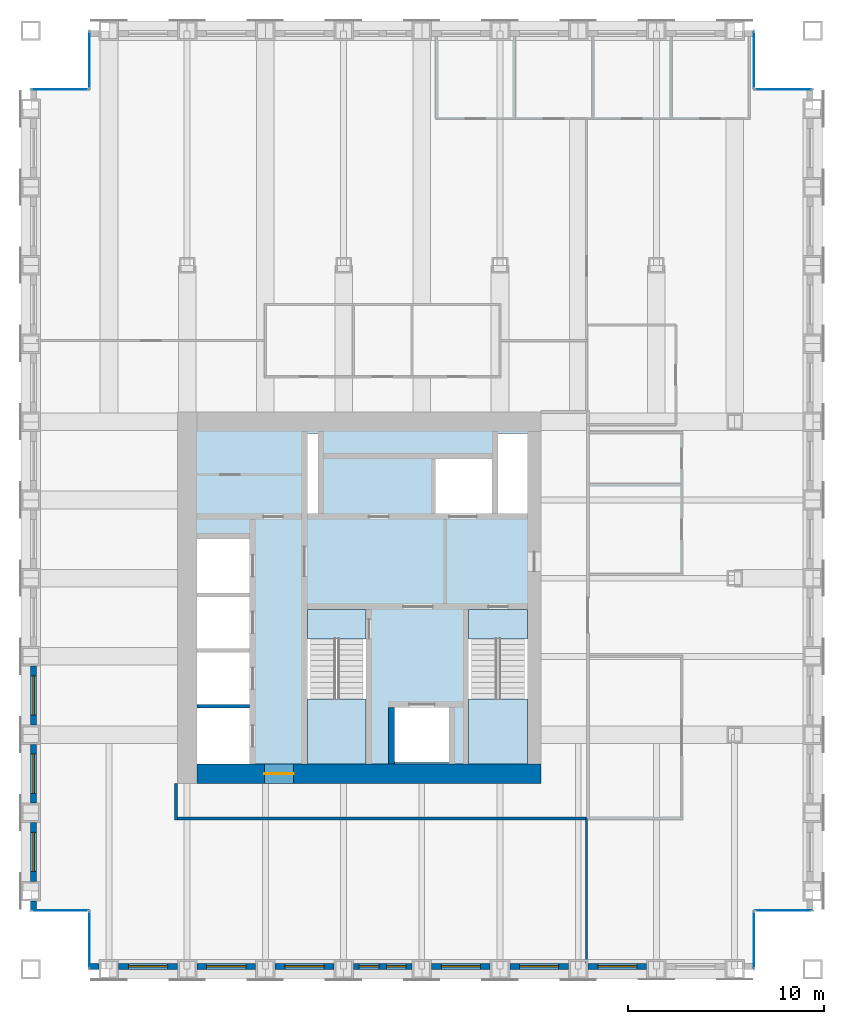
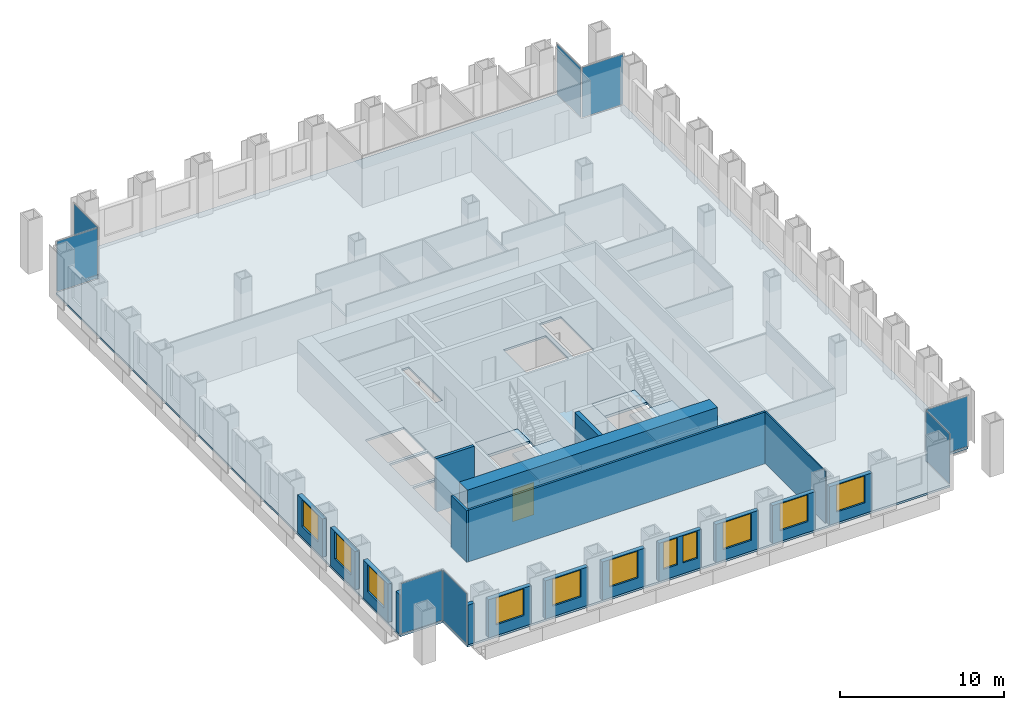
# One storey, part 8 of 13: 18 walls, 11 windows, 8 plates, 5 slabs, 1 door, 12 openings, 10 elements without a shape of their own.
"""IFC4 building model written with IfcOpenShell, lengths in metres."""

from ifc_helpers import new_model, si_unit, direction, frame, frame_2d, origin, origin_2d, place, context, subcontext, project, spatial, polyline, rectangle, outline, extrude, material, layer, layer_set, type_object, element, fill, aggregate, save


model = new_model("IFC4")

# Units and contexts
model_context = context("Model", 3, precision=1e-05, world=origin(), true_north=direction((0.0, 1.0)))
body_context = subcontext(model_context, "Body", "Model", "MODEL_VIEW")
ifc_project = project(units=[si_unit("LENGTHUNIT", "METRE"), si_unit("AREAUNIT", "SQUARE_METRE"), si_unit("VOLUMEUNIT", "CUBIC_METRE"), si_unit("PLANEANGLEUNIT", "RADIAN"), si_unit("MASSUNIT", "GRAM", prefix="KILO")], contexts=[model_context])

# Site, building, storey
site_placement = place(None, origin())
site = spatial("IfcSite", under=ifc_project, at=site_placement, CompositionType="ELEMENT")
building_placement = place(site_placement, origin())
building = spatial("IfcBuilding", under=site, at=building_placement, Name="Rimbunsela Tower", CompositionType="ELEMENT")
storey_placement = place(building_placement, frame((0.0, 0.0, 218.199951171875)))
storey = spatial("IfcBuildingStorey", under=building, at=storey_placement, Name="L52", CompositionType="ELEMENT", Elevation=218.199951171875)

# Slab
ifc_material_1 = material(Name="Concrete fc' 35 MPa", Category="concrete")
ifc_layer_1 = layer(ifc_material_1, 0.14990234375)
ifc_layer_set_1 = layer_set([ifc_layer_1], Name="Floor slab 150")
slab_type_1 = type_object("IfcSlabType", Name="Floor slab 150", PredefinedType="FLOOR", material=ifc_layer_set_1)
slab_1_placement = place(storey_placement, frame((0.0, 0.0, -0.14990234375)))
element("IfcSlab", 1, at=slab_1_placement, inside=storey, type_object=slab_type_1, Name="Floor slab L52", PredefinedType="FLOOR", context=body_context, shape_type="SweptSolid", body=[
    extrude(outline(polyline([(13.0, 8.0), (47.0, 8.0), (47.0, 11.0), (50.0, 11.0), (50.0, 53.0), (47.0, 53.0), (47.0, 56.0), (13.0, 56.0), (13.0, 53.0), (10.0, 53.0), (10.0, 11.0), (13.0, 11.0), (13.0, 8.0)]), holes=[polyline([(21.199951171875, 21.35009765625), (18.5, 21.35009765625), (18.5, 18.5), (21.199951171875, 18.5), (21.199951171875, 21.35009765625)]), polyline([(21.199951171875, 21.550048828125), (21.199951171875, 24.199951171875), (18.5, 24.199951171875), (18.5, 21.550048828125), (21.199951171875, 21.550048828125)]), polyline([(21.199951171875, 27.050048828125), (18.5, 27.050048828125), (18.5, 24.39990234375), (21.199951171875, 24.39990234375), (21.199951171875, 27.050048828125)]), polyline([(21.199951171875, 30.0), (18.5, 30.0), (18.5, 27.25), (21.199951171875, 27.25), (21.199951171875, 30.0)]), polyline([(27.14990234375, 26.39990234375), (24.14990234375, 26.39990234375), (24.14990234375, 18.60009765625), (27.14990234375, 18.60009765625), (27.14990234375, 26.39990234375)]), polyline([(24.699951171875, 31.300048828125), (24.699951171875, 35.39990234375), (24.14990234375, 35.39990234375), (24.14990234375, 31.300048828125), (24.699951171875, 31.300048828125)]), polyline([(31.39990234375, 21.39990234375), (28.60009765625, 21.39990234375), (28.60009765625, 18.60009765625), (31.39990234375, 18.60009765625), (31.39990234375, 21.39990234375)]), polyline([(33.60009765625, 34.10009765625), (30.60009765625, 34.10009765625), (30.60009765625, 31.300048828125), (33.60009765625, 31.300048828125), (33.60009765625, 34.10009765625)]), polyline([(35.39990234375, 18.60009765625), (35.39990234375, 26.39990234375), (32.39990234375, 26.39990234375), (32.39990234375, 18.60009765625), (35.39990234375, 18.60009765625)]), polyline([(35.39990234375, 31.300048828125), (35.39990234375, 35.39990234375), (33.89990234375, 35.39990234375), (33.89990234375, 31.300048828125), (35.39990234375, 31.300048828125)])]), origin(), (0.0, 0.0, 1.0), 0.14990234375),
])

# Curtain wall, plate
ifc_material_2 = material(Name="Aluminium curtain wall", Category="aluminium")
curtain_wall_type = type_object("IfcCurtainWallType", Name="Corner glazing", PredefinedType="USERDEFINED", material=ifc_material_2)
curtain_wall_1_placement = place(storey_placement, origin())
curtain_wall_1 = element("IfcCurtainWall", 2, at=curtain_wall_1_placement, inside=storey, type_object=curtain_wall_type, Name="Corner glazing L52", ObjectType="CORNER GLAZING", PredefinedType="USERDEFINED")
ifc_material_3 = material(Name="Clear double glazing", Category="glass")
ifc_layer_2 = layer(ifc_material_3, 0.028076171875)
ifc_layer_set_2 = layer_set([ifc_layer_2], Name="Glazed panel clear")
plate_type = type_object("IfcPlateType", Name="Glazed panel clear", PredefinedType="CURTAIN_PANEL", material=ifc_layer_set_2)
plate_1_placement = place(storey_placement, frame((47.0, 9.5, 0.06005859375), z_axis=(0.0, 0.0, 1.0), x_axis=(0.0, 1.0, 0.0)))
plate_1 = element("IfcPlate", 3, at=plate_1_placement, type_object=plate_type, Name="CW5 panel 1.1", PredefinedType="CURTAIN_PANEL", context=body_context, shape_type="SweptSolid", body=[
    extrude(rectangle(XDim=2.8798828125, YDim=0.028076171875, at=origin_2d()), origin(), (0.0, 0.0, 1.0), 3.72998046875),
])
aggregate(curtain_wall_1, [plate_1])

curtain_wall_2_placement = place(storey_placement, origin())
curtain_wall_2 = element("IfcCurtainWall", 4, at=curtain_wall_2_placement, inside=storey, type_object=curtain_wall_type, Name="Corner glazing L52", ObjectType="CORNER GLAZING", PredefinedType="USERDEFINED")
plate_2_placement = place(storey_placement, frame((48.5, 11.0, 0.06005859375), z_axis=(0.0, 0.0, 1.0), x_axis=(1.0, 0.0, 0.0)))
plate_2 = element("IfcPlate", 5, at=plate_2_placement, type_object=plate_type, Name="CW5 panel 1.1", PredefinedType="CURTAIN_PANEL", context=body_context, shape_type="SweptSolid", body=[
    extrude(rectangle(XDim=2.8798828125, YDim=0.028076171875, at=origin_2d()), origin(), (0.0, 0.0, 1.0), 3.72998046875),
])
aggregate(curtain_wall_2, [plate_2])

curtain_wall_3_placement = place(storey_placement, origin())
curtain_wall_3 = element("IfcCurtainWall", 6, at=curtain_wall_3_placement, inside=storey, type_object=curtain_wall_type, Name="Corner glazing L52", ObjectType="CORNER GLAZING", PredefinedType="USERDEFINED")
plate_3_placement = place(storey_placement, frame((48.5, 53.0, 0.06005859375), z_axis=(0.0, 0.0, 1.0), x_axis=(-1.0, 0.0, 0.0)))
plate_3 = element("IfcPlate", 7, at=plate_3_placement, type_object=plate_type, Name="CW5 panel 1.1", PredefinedType="CURTAIN_PANEL", context=body_context, shape_type="SweptSolid", body=[
    extrude(rectangle(XDim=2.8798828125, YDim=0.028076171875, at=origin_2d()), origin(), (0.0, 0.0, 1.0), 3.72998046875),
])
aggregate(curtain_wall_3, [plate_3])

curtain_wall_4_placement = place(storey_placement, origin())
curtain_wall_4 = element("IfcCurtainWall", 8, at=curtain_wall_4_placement, inside=storey, type_object=curtain_wall_type, Name="Corner glazing L52", ObjectType="CORNER GLAZING", PredefinedType="USERDEFINED")
plate_4_placement = place(storey_placement, frame((47.0, 54.5, 0.06005859375), z_axis=(0.0, 0.0, 1.0), x_axis=(0.0, 1.0, 0.0)))
plate_4 = element("IfcPlate", 9, at=plate_4_placement, type_object=plate_type, Name="CW5 panel 1.1", PredefinedType="CURTAIN_PANEL", context=body_context, shape_type="SweptSolid", body=[
    extrude(rectangle(XDim=2.8798828125, YDim=0.028076171875, at=origin_2d()), origin(), (0.0, 0.0, 1.0), 3.72998046875),
])
aggregate(curtain_wall_4, [plate_4])

curtain_wall_5_placement = place(storey_placement, origin())
curtain_wall_5 = element("IfcCurtainWall", 10, at=curtain_wall_5_placement, inside=storey, type_object=curtain_wall_type, Name="Corner glazing L52", ObjectType="CORNER GLAZING", PredefinedType="USERDEFINED")
plate_5_placement = place(storey_placement, frame((13.0, 54.5, 0.06005859375), z_axis=(0.0, 0.0, 1.0), x_axis=(0.0, -1.0, 0.0)))
plate_5 = element("IfcPlate", 11, at=plate_5_placement, type_object=plate_type, Name="CW5 panel 1.1", PredefinedType="CURTAIN_PANEL", context=body_context, shape_type="SweptSolid", body=[
    extrude(rectangle(XDim=2.8798828125, YDim=0.028076171875, at=origin_2d()), origin(), (0.0, 0.0, 1.0), 3.72998046875),
])
aggregate(curtain_wall_5, [plate_5])

curtain_wall_6_placement = place(storey_placement, origin())
curtain_wall_6 = element("IfcCurtainWall", 12, at=curtain_wall_6_placement, inside=storey, type_object=curtain_wall_type, Name="Corner glazing L52", ObjectType="CORNER GLAZING", PredefinedType="USERDEFINED")
plate_6_placement = place(storey_placement, frame((11.5, 53.0, 0.06005859375), z_axis=(0.0, 0.0, 1.0), x_axis=(-1.0, 0.0, 0.0)))
plate_6 = element("IfcPlate", 13, at=plate_6_placement, type_object=plate_type, Name="CW5 panel 1.1", PredefinedType="CURTAIN_PANEL", context=body_context, shape_type="SweptSolid", body=[
    extrude(rectangle(XDim=2.8798828125, YDim=0.028076171875, at=origin_2d()), origin(), (0.0, 0.0, 1.0), 3.72998046875),
])
aggregate(curtain_wall_6, [plate_6])

curtain_wall_7_placement = place(storey_placement, origin())
curtain_wall_7 = element("IfcCurtainWall", 14, at=curtain_wall_7_placement, inside=storey, type_object=curtain_wall_type, Name="Corner glazing L52", ObjectType="CORNER GLAZING", PredefinedType="USERDEFINED")
plate_7_placement = place(storey_placement, frame((11.5, 11.0, 0.06005859375), z_axis=(0.0, 0.0, 1.0), x_axis=(1.0, 0.0, 0.0)))
plate_7 = element("IfcPlate", 15, at=plate_7_placement, type_object=plate_type, Name="CW5 panel 1.1", PredefinedType="CURTAIN_PANEL", context=body_context, shape_type="SweptSolid", body=[
    extrude(rectangle(XDim=2.8798828125, YDim=0.028076171875, at=origin_2d()), origin(), (0.0, 0.0, 1.0), 3.72998046875),
])
aggregate(curtain_wall_7, [plate_7])

curtain_wall_8_placement = place(storey_placement, origin())
curtain_wall_8 = element("IfcCurtainWall", 16, at=curtain_wall_8_placement, inside=storey, type_object=curtain_wall_type, Name="Corner glazing L52", ObjectType="CORNER GLAZING", PredefinedType="USERDEFINED")
plate_8_placement = place(storey_placement, frame((13.0, 9.5, 0.06005859375), z_axis=(0.0, 0.0, 1.0), x_axis=(0.0, -1.0, 0.0)))
plate_8 = element("IfcPlate", 17, at=plate_8_placement, type_object=plate_type, Name="CW5 panel 1.1", PredefinedType="CURTAIN_PANEL", context=body_context, shape_type="SweptSolid", body=[
    extrude(rectangle(XDim=2.8798828125, YDim=0.028076171875, at=origin_2d()), origin(), (0.0, 0.0, 1.0), 3.72998046875),
])
aggregate(curtain_wall_8, [plate_8])

# Stair, slabs
ifc_material_4 = material(Name="Concrete fc' 35 MPa", Category="concrete")
stair_type = type_object("IfcStairType", Name="Exit stair 24 risers", PredefinedType="HALF_TURN_STAIR", material=ifc_material_4)
stair_1_placement = place(storey_placement, origin())
stair_1 = element("IfcStair", 18, at=stair_1_placement, inside=storey, type_object=stair_type, Name="Exit stair A L52", PredefinedType="HALF_TURN_STAIR")
ifc_material_5 = material(Name="Concrete fc' 35 MPa", Category="concrete")
ifc_layer_3 = layer(ifc_material_5, 0.199951171875)
ifc_layer_set_3 = layer_set([ifc_layer_3], Name="Stair landing 200")
slab_type_2 = type_object("IfcSlabType", Name="Stair landing 200", PredefinedType="LANDING", material=ifc_layer_set_3)
slab_2_placement = place(storey_placement, frame((0.0, 0.0, -0.199951171875)))
slab_2 = element("IfcSlab", 19, at=slab_2_placement, type_object=slab_type_2, Name="ST-A landing 1", PredefinedType="LANDING", context=body_context, shape_type="SweptSolid", body=[
    extrude(outline(polyline([(24.14990234375, 24.89990234375), (27.14990234375, 24.89990234375), (27.14990234375, 26.39990234375), (24.14990234375, 26.39990234375), (24.14990234375, 24.89990234375)])), origin(), (0.0, 0.0, 1.0), 0.199951171875),
])
slab_3_placement = place(storey_placement, frame((0.0, 0.0, 1.800048828125)))
slab_3 = element("IfcSlab", 20, at=slab_3_placement, type_object=slab_type_2, Name="ST-A landing 2", PredefinedType="LANDING", context=body_context, shape_type="SweptSolid", body=[
    extrude(outline(polyline([(24.14990234375, 18.5), (27.14990234375, 18.5), (27.14990234375, 21.820068359375), (24.14990234375, 21.820068359375), (24.14990234375, 18.5)])), origin(), (0.0, 0.0, 1.0), 0.199951171875),
])
aggregate(stair_1, [slab_2, slab_3])

stair_2_placement = place(storey_placement, origin())
stair_2 = element("IfcStair", 21, at=stair_2_placement, inside=storey, type_object=stair_type, Name="Exit stair B L52", PredefinedType="HALF_TURN_STAIR")
slab_4_placement = place(storey_placement, frame((0.0, 0.0, -0.199951171875)))
slab_4 = element("IfcSlab", 22, at=slab_4_placement, type_object=slab_type_2, Name="ST-B landing 1", PredefinedType="LANDING", context=body_context, shape_type="SweptSolid", body=[
    extrude(outline(polyline([(32.39990234375, 24.89990234375), (35.39990234375, 24.89990234375), (35.39990234375, 26.39990234375), (32.39990234375, 26.39990234375), (32.39990234375, 24.89990234375)])), origin(), (0.0, 0.0, 1.0), 0.199951171875),
])
slab_5_placement = place(storey_placement, frame((0.0, 0.0, 1.800048828125)))
slab_5 = element("IfcSlab", 23, at=slab_5_placement, type_object=slab_type_2, Name="ST-B landing 2", PredefinedType="LANDING", context=body_context, shape_type="SweptSolid", body=[
    extrude(outline(polyline([(32.39990234375, 18.5), (35.39990234375, 18.5), (35.39990234375, 21.820068359375), (32.39990234375, 21.820068359375), (32.39990234375, 18.5)])), origin(), (0.0, 0.0, 1.0), 0.199951171875),
])
aggregate(stair_2, [slab_4, slab_5])

# Wall
ifc_material_6 = material(Name="Concrete fc' 80 MPa", Category="concrete")
ifc_layer_4 = layer(ifc_material_6, 0.300048828125)
ifc_layer_set_4 = layer_set([ifc_layer_4], Name="Core internal wall 300")
wall_type_1 = type_object("IfcWallType", Name="Core internal wall 300", PredefinedType="SHEAR", material=ifc_layer_set_4)
wall_1_placement = place(storey_placement, frame((28.449951171875, 18.5, -0.14990234375), z_axis=(0.0, 0.0, 1.0), x_axis=(0.0, 1.0, 0.0)))
element("IfcWall", 24, at=wall_1_placement, inside=storey, type_object=wall_type_1, Name="Firefighting lift shaft west", PredefinedType="SHEAR", context=body_context, shape_type="SweptSolid", body=[
    extrude(rectangle(XDim=2.89990234375, YDim=0.300048828125, at=frame_2d((1.449951171875, 0.0))), origin(), (0.0, 0.0, 1.0), 4.0),
])

# Wall, opening, door
ifc_material_7 = material(Name="Concrete fc' 80 MPa", Category="concrete")
ifc_layer_5 = layer(ifc_material_7, 1.0)
ifc_layer_set_5 = layer_set([ifc_layer_5], Name="Core wall 1000")
wall_type_2 = type_object("IfcWallType", Name="Core wall 1000", PredefinedType="SHEAR", material=ifc_layer_set_5)
wall_2_placement = place(storey_placement, frame((18.5, 18.0, -0.14990234375), z_axis=(0.0, 0.0, 1.0), x_axis=(1.0, 0.0, 0.0)))
wall_2 = element("IfcWall", 25, at=wall_2_placement, inside=storey, type_object=wall_type_2, Name="Core wall south", PredefinedType="SHEAR", context=body_context, shape_type="SweptSolid", body=[
    extrude(rectangle(XDim=17.60009765625, YDim=1.0, at=frame_2d((8.800048828125, 0.0))), origin(), (0.0, 0.0, 1.0), 4.0),
])
opening_1_placement = place(wall_2_placement, frame((3.449951171875, 0.0, 0.14990234375)))
opening_1 = element("IfcOpeningElement", 26, at=opening_1_placement, cuts=wall_2, Name="Opening D03", PredefinedType="OPENING", context=body_context, shape_type="SweptSolid", body=[
    extrude(rectangle(XDim=1.5, YDim=2.39990234375, at=frame_2d((0.75, 1.199951171875))), frame((0.0, 0.510009765625, 0.0), z_axis=(0.0, -1.0, 0.0), x_axis=(1.0, 0.0, 0.0)), (0.0, 0.0, 1.0), 1.02001953125),
])
ifc_material_8 = material(Name="Steel door, fire rated", Category="steel")
door_type = type_object("IfcDoorType", Name="Core lobby door 1500", OperationType="DOUBLE_DOOR_DOUBLE_SWING", PredefinedType="DOOR", material=ifc_material_8)
door_placement = place(opening_1_placement, origin())
door = element("IfcDoor", 27, at=door_placement, inside=storey, type_object=door_type, Name="Core door south", OperationType="DOUBLE_DOOR_DOUBLE_SWING", OverallHeight=2.39990234375, OverallWidth=1.5, PredefinedType="DOOR", context=body_context, shape_type="SweptSolid", body=[
    extrude(rectangle(XDim=1.5, YDim=2.39990234375, at=frame_2d((0.75, 1.199951171875))), frame((0.0, 0.02490234375, 0.0), z_axis=(0.0, -1.0, 0.0), x_axis=(1.0, 0.0, 0.0)), (0.0, 0.0, 1.0), 0.050048828125),
])
fill(opening_1, door)

# Walls
ifc_material_9 = material(Name="Concrete blockwork", Category="masonry")
ifc_layer_6 = layer(ifc_material_9, 0.199951171875)
ifc_layer_set_6 = layer_set([ifc_layer_6], Name="Lift shaft wall 200")
wall_type_3 = type_object("IfcWallType", Name="Lift shaft wall 200", PredefinedType="SOLIDWALL", material=ifc_layer_set_6)
wall_3_placement = place(storey_placement, frame((18.5, 21.449951171875, -0.14990234375), z_axis=(0.0, 0.0, 1.0), x_axis=(1.0, 0.0, 0.0)))
element("IfcWall", 28, at=wall_3_placement, inside=storey, type_object=wall_type_3, Name="Lift shaft separation", PredefinedType="SOLIDWALL", context=body_context, shape_type="SweptSolid", body=[
    extrude(rectangle(XDim=2.699951171875, YDim=0.199951171875, at=frame_2d((1.35009765625, 0.0))), origin(), (0.0, 0.0, 1.0), 4.0),
])
ifc_material_10 = material(Name="Gypsum board on steel studs", Category="steel")
ifc_layer_7 = layer(ifc_material_10, 0.10009765625)
ifc_layer_set_7 = layer_set([ifc_layer_7], Name="Office partition 100")
wall_type_4 = type_object("IfcWallType", Name="Office partition 100", PredefinedType="PARTITIONING", material=ifc_layer_set_7)
wall_4_placement = place(storey_placement, frame((38.425048828125, 15.699951171875, 0.0), z_axis=(0.0, 0.0, 1.0), x_axis=(0.0, -1.0, 0.0)))
element("IfcWall", 29, at=wall_4_placement, inside=storey, type_object=wall_type_4, Name="Office partition", PredefinedType="PARTITIONING", context=body_context, shape_type="SweptSolid", body=[
    extrude(rectangle(XDim=7.39990234375, YDim=0.10009765625, at=frame_2d((3.699951171875, 0.0))), origin(), (0.0, 0.0, 1.0), 3.85009765625),
])
ifc_material_11 = material(Name="Precast concrete fc' 35 MPa", Category="concrete")
ifc_layer_8 = layer(ifc_material_11, 0.300048828125)
ifc_layer_set_8 = layer_set([ifc_layer_8], Name="Precast concrete fc' 35 MPa")
wall_type_5 = type_object("IfcWallType", Name="Precast facade panel 300", PredefinedType="ELEMENTEDWALL", material=ifc_layer_set_8)
wall_5_placement = place(storey_placement, frame((13.030029296875, 8.14990234375, 0.0), z_axis=(0.0, 0.0, 1.0), x_axis=(1.0, 0.0, 0.0)))
element("IfcWall", 30, at=wall_5_placement, inside=storey, type_object=wall_type_5, Name="Facade panel S L52", PredefinedType="ELEMENTEDWALL", context=body_context, shape_type="SweptSolid", body=[
    extrude(rectangle(XDim=0.469970703125, YDim=0.300048828125, at=frame_2d((0.23486328125, 0.0))), origin(), (0.0, 0.0, 1.0), 2.949951171875),
])

# Wall, opening, window
wall_6_placement = place(storey_placement, frame((14.5, 8.14990234375, 0.0), z_axis=(0.0, 0.0, 1.0), x_axis=(1.0, 0.0, 0.0)))
wall_6 = element("IfcWall", 31, at=wall_6_placement, inside=storey, type_object=wall_type_5, Name="Facade panel S L52", PredefinedType="ELEMENTEDWALL", context=body_context, shape_type="SweptSolid", body=[
    extrude(rectangle(XDim=3.0, YDim=0.300048828125, at=frame_2d((1.5, 0.0))), origin(), (0.0, 0.0, 1.0), 2.85009765625),
])
opening_2_placement = place(wall_6_placement, frame((0.5, 0.0, 0.800048828125)))
opening_2 = element("IfcOpeningElement", 32, at=opening_2_placement, cuts=wall_6, Name="Opening W1", PredefinedType="OPENING", context=body_context, shape_type="SweptSolid", body=[
    extrude(rectangle(XDim=2.0, YDim=2.0, at=frame_2d((1.0, 1.0))), frame((0.0, 0.159912109375, 0.0), z_axis=(0.0, -1.0, 0.0), x_axis=(1.0, 0.0, 0.0)), (0.0, 0.0, 1.0), 0.320068359375),
])
ifc_material_12 = material(Name="Clear glass in aluminium frame", Category="aluminium")
window_type_1 = type_object("IfcWindowType", Name="Window W1 2000x2000", PartitioningType="DOUBLE_PANEL_VERTICAL", PredefinedType="WINDOW", material=ifc_material_12)
window_1_placement = place(opening_2_placement, origin())
window_1 = element("IfcWindow", 33, at=window_1_placement, inside=storey, type_object=window_type_1, Name="Window L52", OverallHeight=2.0, OverallWidth=2.0, PartitioningType="SINGLE_PANEL", PredefinedType="WINDOW", context=body_context, shape_type="SweptSolid", body=[
    extrude(rectangle(XDim=2.0, YDim=2.0, at=frame_2d((1.0, 1.0))), frame((0.0, 0.030029296875, 0.0), z_axis=(0.0, -1.0, 0.0), x_axis=(1.0, 0.0, 0.0)), (0.0, 0.0, 1.0), 0.06005859375),
])
fill(opening_2, window_1)

wall_7_placement = place(storey_placement, frame((18.5, 8.14990234375, 0.0), z_axis=(0.0, 0.0, 1.0), x_axis=(1.0, 0.0, 0.0)))
wall_7 = element("IfcWall", 34, at=wall_7_placement, inside=storey, type_object=wall_type_5, Name="Facade panel S L52", PredefinedType="ELEMENTEDWALL", context=body_context, shape_type="SweptSolid", body=[
    extrude(rectangle(XDim=3.0, YDim=0.300048828125, at=frame_2d((1.5, 0.0))), origin(), (0.0, 0.0, 1.0), 2.85009765625),
])
opening_3_placement = place(wall_7_placement, frame((0.5, 0.0, 0.800048828125)))
opening_3 = element("IfcOpeningElement", 35, at=opening_3_placement, cuts=wall_7, Name="Opening W1", PredefinedType="OPENING", context=body_context, shape_type="SweptSolid", body=[
    extrude(rectangle(XDim=2.0, YDim=2.0, at=frame_2d((1.0, 1.0))), frame((0.0, 0.159912109375, 0.0), z_axis=(0.0, -1.0, 0.0), x_axis=(1.0, 0.0, 0.0)), (0.0, 0.0, 1.0), 0.320068359375),
])
window_2_placement = place(opening_3_placement, origin())
window_2 = element("IfcWindow", 36, at=window_2_placement, inside=storey, type_object=window_type_1, Name="Window L52", OverallHeight=2.0, OverallWidth=2.0, PartitioningType="SINGLE_PANEL", PredefinedType="WINDOW", context=body_context, shape_type="SweptSolid", body=[
    extrude(rectangle(XDim=2.0, YDim=2.0, at=frame_2d((1.0, 1.0))), frame((0.0, 0.030029296875, 0.0), z_axis=(0.0, -1.0, 0.0), x_axis=(1.0, 0.0, 0.0)), (0.0, 0.0, 1.0), 0.06005859375),
])
fill(opening_3, window_2)

wall_8_placement = place(storey_placement, frame((22.5, 8.14990234375, 0.0), z_axis=(0.0, 0.0, 1.0), x_axis=(1.0, 0.0, 0.0)))
wall_8 = element("IfcWall", 37, at=wall_8_placement, inside=storey, type_object=wall_type_5, Name="Facade panel S L52", PredefinedType="ELEMENTEDWALL", context=body_context, shape_type="SweptSolid", body=[
    extrude(rectangle(XDim=3.0, YDim=0.300048828125, at=frame_2d((1.5, 0.0))), origin(), (0.0, 0.0, 1.0), 2.85009765625),
])
opening_4_placement = place(wall_8_placement, frame((0.5, 0.0, 0.800048828125)))
opening_4 = element("IfcOpeningElement", 38, at=opening_4_placement, cuts=wall_8, Name="Opening W1", PredefinedType="OPENING", context=body_context, shape_type="SweptSolid", body=[
    extrude(rectangle(XDim=2.0, YDim=2.0, at=frame_2d((1.0, 1.0))), frame((0.0, 0.159912109375, 0.0), z_axis=(0.0, -1.0, 0.0), x_axis=(1.0, 0.0, 0.0)), (0.0, 0.0, 1.0), 0.320068359375),
])
window_3_placement = place(opening_4_placement, origin())
window_3 = element("IfcWindow", 39, at=window_3_placement, inside=storey, type_object=window_type_1, Name="Window L52", OverallHeight=2.0, OverallWidth=2.0, PartitioningType="SINGLE_PANEL", PredefinedType="WINDOW", context=body_context, shape_type="SweptSolid", body=[
    extrude(rectangle(XDim=2.0, YDim=2.0, at=frame_2d((1.0, 1.0))), frame((0.0, 0.030029296875, 0.0), z_axis=(0.0, -1.0, 0.0), x_axis=(1.0, 0.0, 0.0)), (0.0, 0.0, 1.0), 0.06005859375),
])
fill(opening_4, window_3)

# Wall, openings, windows
wall_9_placement = place(storey_placement, frame((26.5, 8.14990234375, 0.0), z_axis=(0.0, 0.0, 1.0), x_axis=(1.0, 0.0, 0.0)))
wall_9 = element("IfcWall", 40, at=wall_9_placement, inside=storey, type_object=wall_type_5, Name="Facade panel S L52", PredefinedType="ELEMENTEDWALL", context=body_context, shape_type="SweptSolid", body=[
    extrude(rectangle(XDim=3.0, YDim=0.300048828125, at=frame_2d((1.5, 0.0))), origin(), (0.0, 0.0, 1.0), 2.85009765625),
])
opening_5_placement = place(wall_9_placement, frame((0.300048828125, 0.0, 0.800048828125)))
opening_5 = element("IfcOpeningElement", 41, at=opening_5_placement, cuts=wall_9, Name="Opening W5", PredefinedType="OPENING", context=body_context, shape_type="SweptSolid", body=[
    extrude(rectangle(XDim=1.0, YDim=2.0, at=frame_2d((0.5, 1.0))), frame((0.0, 0.159912109375, 0.0), z_axis=(0.0, -1.0, 0.0), x_axis=(1.0, 0.0, 0.0)), (0.0, 0.0, 1.0), 0.320068359375),
])
opening_6_placement = place(wall_9_placement, frame((1.699951171875, 0.0, 0.800048828125)))
opening_6 = element("IfcOpeningElement", 42, at=opening_6_placement, cuts=wall_9, Name="Opening W5", PredefinedType="OPENING", context=body_context, shape_type="SweptSolid", body=[
    extrude(rectangle(XDim=1.0, YDim=2.0, at=frame_2d((0.5, 1.0))), frame((0.0, 0.159912109375, 0.0), z_axis=(0.0, -1.0, 0.0), x_axis=(1.0, 0.0, 0.0)), (0.0, 0.0, 1.0), 0.320068359375),
])
ifc_material_13 = material(Name="Clear glass in aluminium frame", Category="aluminium")
window_type_2 = type_object("IfcWindowType", Name="Window W5 1000x2000", PartitioningType="SINGLE_PANEL", PredefinedType="WINDOW", material=ifc_material_13)
window_4_placement = place(opening_5_placement, origin())
window_4 = element("IfcWindow", 43, at=window_4_placement, inside=storey, type_object=window_type_2, Name="Window L52", OverallHeight=2.0, OverallWidth=1.0, PartitioningType="SINGLE_PANEL", PredefinedType="WINDOW", context=body_context, shape_type="SweptSolid", body=[
    extrude(rectangle(XDim=1.0, YDim=2.0, at=frame_2d((0.5, 1.0))), frame((0.0, 0.030029296875, 0.0), z_axis=(0.0, -1.0, 0.0), x_axis=(1.0, 0.0, 0.0)), (0.0, 0.0, 1.0), 0.06005859375),
])
fill(opening_5, window_4)
window_5_placement = place(opening_6_placement, origin())
window_5 = element("IfcWindow", 44, at=window_5_placement, inside=storey, type_object=window_type_2, Name="Window L52", OverallHeight=2.0, OverallWidth=1.0, PartitioningType="SINGLE_PANEL", PredefinedType="WINDOW", context=body_context, shape_type="SweptSolid", body=[
    extrude(rectangle(XDim=1.0, YDim=2.0, at=frame_2d((0.5, 1.0))), frame((0.0, 0.030029296875, 0.0), z_axis=(0.0, -1.0, 0.0), x_axis=(1.0, 0.0, 0.0)), (0.0, 0.0, 1.0), 0.06005859375),
])
fill(opening_6, window_5)

# Wall, opening, window
wall_10_placement = place(storey_placement, frame((30.5, 8.14990234375, 0.0), z_axis=(0.0, 0.0, 1.0), x_axis=(1.0, 0.0, 0.0)))
wall_10 = element("IfcWall", 45, at=wall_10_placement, inside=storey, type_object=wall_type_5, Name="Facade panel S L52", PredefinedType="ELEMENTEDWALL", context=body_context, shape_type="SweptSolid", body=[
    extrude(rectangle(XDim=3.0, YDim=0.300048828125, at=frame_2d((1.5, 0.0))), origin(), (0.0, 0.0, 1.0), 2.85009765625),
])
opening_7_placement = place(wall_10_placement, frame((0.5, 0.0, 0.800048828125)))
opening_7 = element("IfcOpeningElement", 46, at=opening_7_placement, cuts=wall_10, Name="Opening W1", PredefinedType="OPENING", context=body_context, shape_type="SweptSolid", body=[
    extrude(rectangle(XDim=2.0, YDim=2.0, at=frame_2d((1.0, 1.0))), frame((0.0, 0.159912109375, 0.0), z_axis=(0.0, -1.0, 0.0), x_axis=(1.0, 0.0, 0.0)), (0.0, 0.0, 1.0), 0.320068359375),
])
window_6_placement = place(opening_7_placement, origin())
window_6 = element("IfcWindow", 47, at=window_6_placement, inside=storey, type_object=window_type_1, Name="Window L52", OverallHeight=2.0, OverallWidth=2.0, PartitioningType="SINGLE_PANEL", PredefinedType="WINDOW", context=body_context, shape_type="SweptSolid", body=[
    extrude(rectangle(XDim=2.0, YDim=2.0, at=frame_2d((1.0, 1.0))), frame((0.0, 0.030029296875, 0.0), z_axis=(0.0, -1.0, 0.0), x_axis=(1.0, 0.0, 0.0)), (0.0, 0.0, 1.0), 0.06005859375),
])
fill(opening_7, window_6)

wall_11_placement = place(storey_placement, frame((34.5, 8.14990234375, 0.0), z_axis=(0.0, 0.0, 1.0), x_axis=(1.0, 0.0, 0.0)))
wall_11 = element("IfcWall", 48, at=wall_11_placement, inside=storey, type_object=wall_type_5, Name="Facade panel S L52", PredefinedType="ELEMENTEDWALL", context=body_context, shape_type="SweptSolid", body=[
    extrude(rectangle(XDim=3.0, YDim=0.300048828125, at=frame_2d((1.5, 0.0))), origin(), (0.0, 0.0, 1.0), 2.85009765625),
])
opening_8_placement = place(wall_11_placement, frame((0.5, 0.0, 0.800048828125)))
opening_8 = element("IfcOpeningElement", 49, at=opening_8_placement, cuts=wall_11, Name="Opening W1", PredefinedType="OPENING", context=body_context, shape_type="SweptSolid", body=[
    extrude(rectangle(XDim=2.0, YDim=2.0, at=frame_2d((1.0, 1.0))), frame((0.0, 0.159912109375, 0.0), z_axis=(0.0, -1.0, 0.0), x_axis=(1.0, 0.0, 0.0)), (0.0, 0.0, 1.0), 0.320068359375),
])
window_7_placement = place(opening_8_placement, origin())
window_7 = element("IfcWindow", 50, at=window_7_placement, inside=storey, type_object=window_type_1, Name="Window L52", OverallHeight=2.0, OverallWidth=2.0, PartitioningType="SINGLE_PANEL", PredefinedType="WINDOW", context=body_context, shape_type="SweptSolid", body=[
    extrude(rectangle(XDim=2.0, YDim=2.0, at=frame_2d((1.0, 1.0))), frame((0.0, 0.030029296875, 0.0), z_axis=(0.0, -1.0, 0.0), x_axis=(1.0, 0.0, 0.0)), (0.0, 0.0, 1.0), 0.06005859375),
])
fill(opening_8, window_7)

wall_12_placement = place(storey_placement, frame((38.5, 8.14990234375, 0.0), z_axis=(0.0, 0.0, 1.0), x_axis=(1.0, 0.0, 0.0)))
wall_12 = element("IfcWall", 51, at=wall_12_placement, inside=storey, type_object=wall_type_5, Name="Facade panel S L52", PredefinedType="ELEMENTEDWALL", context=body_context, shape_type="SweptSolid", body=[
    extrude(rectangle(XDim=3.0, YDim=0.300048828125, at=frame_2d((1.5, 0.0))), origin(), (0.0, 0.0, 1.0), 2.85009765625),
])
opening_9_placement = place(wall_12_placement, frame((0.5, 0.0, 0.800048828125)))
opening_9 = element("IfcOpeningElement", 52, at=opening_9_placement, cuts=wall_12, Name="Opening W1", PredefinedType="OPENING", context=body_context, shape_type="SweptSolid", body=[
    extrude(rectangle(XDim=2.0, YDim=2.0, at=frame_2d((1.0, 1.0))), frame((0.0, 0.159912109375, 0.0), z_axis=(0.0, -1.0, 0.0), x_axis=(1.0, 0.0, 0.0)), (0.0, 0.0, 1.0), 0.320068359375),
])
window_8_placement = place(opening_9_placement, origin())
window_8 = element("IfcWindow", 53, at=window_8_placement, inside=storey, type_object=window_type_1, Name="Window L52", OverallHeight=2.0, OverallWidth=2.0, PartitioningType="SINGLE_PANEL", PredefinedType="WINDOW", context=body_context, shape_type="SweptSolid", body=[
    extrude(rectangle(XDim=2.0, YDim=2.0, at=frame_2d((1.0, 1.0))), frame((0.0, 0.030029296875, 0.0), z_axis=(0.0, -1.0, 0.0), x_axis=(1.0, 0.0, 0.0)), (0.0, 0.0, 1.0), 0.06005859375),
])
fill(opening_9, window_8)

# Wall
wall_13_placement = place(storey_placement, frame((10.14990234375, 11.5, 0.0), z_axis=(0.0, 0.0, 1.0), x_axis=(0.0, -1.0, 0.0)))
element("IfcWall", 54, at=wall_13_placement, inside=storey, type_object=wall_type_5, Name="Facade panel W L52", PredefinedType="ELEMENTEDWALL", context=body_context, shape_type="SweptSolid", body=[
    extrude(rectangle(XDim=0.469970703125, YDim=0.300048828125, at=frame_2d((0.23486328125, 0.0))), origin(), (0.0, 0.0, 1.0), 2.949951171875),
])

# Wall, opening, window
wall_14_placement = place(storey_placement, frame((10.14990234375, 15.5, 0.0), z_axis=(0.0, 0.0, 1.0), x_axis=(0.0, -1.0, 0.0)))
wall_14 = element("IfcWall", 55, at=wall_14_placement, inside=storey, type_object=wall_type_5, Name="Facade panel W L52", PredefinedType="ELEMENTEDWALL", context=body_context, shape_type="SweptSolid", body=[
    extrude(rectangle(XDim=3.0, YDim=0.300048828125, at=frame_2d((1.5, 0.0))), origin(), (0.0, 0.0, 1.0), 2.85009765625),
])
opening_10_placement = place(wall_14_placement, frame((0.5, 0.0, 0.800048828125)))
opening_10 = element("IfcOpeningElement", 56, at=opening_10_placement, cuts=wall_14, Name="Opening W1", PredefinedType="OPENING", context=body_context, shape_type="SweptSolid", body=[
    extrude(rectangle(XDim=2.0, YDim=2.0, at=frame_2d((1.0, 1.0))), frame((0.0, 0.159912109375, 0.0), z_axis=(0.0, -1.0, 0.0), x_axis=(1.0, 0.0, 0.0)), (0.0, 0.0, 1.0), 0.320068359375),
])
window_9_placement = place(opening_10_placement, origin())
window_9 = element("IfcWindow", 57, at=window_9_placement, inside=storey, type_object=window_type_1, Name="Window L52", OverallHeight=2.0, OverallWidth=2.0, PartitioningType="SINGLE_PANEL", PredefinedType="WINDOW", context=body_context, shape_type="SweptSolid", body=[
    extrude(rectangle(XDim=2.0, YDim=2.0, at=frame_2d((1.0, 1.0))), frame((0.0, 0.030029296875, 0.0), z_axis=(0.0, -1.0, 0.0), x_axis=(1.0, 0.0, 0.0)), (0.0, 0.0, 1.0), 0.06005859375),
])
fill(opening_10, window_9)

wall_15_placement = place(storey_placement, frame((10.14990234375, 19.5, 0.0), z_axis=(0.0, 0.0, 1.0), x_axis=(0.0, -1.0, 0.0)))
wall_15 = element("IfcWall", 58, at=wall_15_placement, inside=storey, type_object=wall_type_5, Name="Facade panel W L52", PredefinedType="ELEMENTEDWALL", context=body_context, shape_type="SweptSolid", body=[
    extrude(rectangle(XDim=3.0, YDim=0.300048828125, at=frame_2d((1.5, 0.0))), origin(), (0.0, 0.0, 1.0), 2.85009765625),
])
opening_11_placement = place(wall_15_placement, frame((0.5, 0.0, 0.800048828125)))
opening_11 = element("IfcOpeningElement", 59, at=opening_11_placement, cuts=wall_15, Name="Opening W1", PredefinedType="OPENING", context=body_context, shape_type="SweptSolid", body=[
    extrude(rectangle(XDim=2.0, YDim=2.0, at=frame_2d((1.0, 1.0))), frame((0.0, 0.159912109375, 0.0), z_axis=(0.0, -1.0, 0.0), x_axis=(1.0, 0.0, 0.0)), (0.0, 0.0, 1.0), 0.320068359375),
])
window_10_placement = place(opening_11_placement, origin())
window_10 = element("IfcWindow", 60, at=window_10_placement, inside=storey, type_object=window_type_1, Name="Window L52", OverallHeight=2.0, OverallWidth=2.0, PartitioningType="SINGLE_PANEL", PredefinedType="WINDOW", context=body_context, shape_type="SweptSolid", body=[
    extrude(rectangle(XDim=2.0, YDim=2.0, at=frame_2d((1.0, 1.0))), frame((0.0, 0.030029296875, 0.0), z_axis=(0.0, -1.0, 0.0), x_axis=(1.0, 0.0, 0.0)), (0.0, 0.0, 1.0), 0.06005859375),
])
fill(opening_11, window_10)

wall_16_placement = place(storey_placement, frame((10.14990234375, 23.5, 0.0), z_axis=(0.0, 0.0, 1.0), x_axis=(0.0, -1.0, 0.0)))
wall_16 = element("IfcWall", 61, at=wall_16_placement, inside=storey, type_object=wall_type_5, Name="Facade panel W L52", PredefinedType="ELEMENTEDWALL", context=body_context, shape_type="SweptSolid", body=[
    extrude(rectangle(XDim=3.0, YDim=0.300048828125, at=frame_2d((1.5, 0.0))), origin(), (0.0, 0.0, 1.0), 2.85009765625),
])
opening_12_placement = place(wall_16_placement, frame((0.5, 0.0, 0.800048828125)))
opening_12 = element("IfcOpeningElement", 62, at=opening_12_placement, cuts=wall_16, Name="Opening W1", PredefinedType="OPENING", context=body_context, shape_type="SweptSolid", body=[
    extrude(rectangle(XDim=2.0, YDim=2.0, at=frame_2d((1.0, 1.0))), frame((0.0, 0.159912109375, 0.0), z_axis=(0.0, -1.0, 0.0), x_axis=(1.0, 0.0, 0.0)), (0.0, 0.0, 1.0), 0.320068359375),
])
window_11_placement = place(opening_12_placement, origin())
window_11 = element("IfcWindow", 63, at=window_11_placement, inside=storey, type_object=window_type_1, Name="Window L52", OverallHeight=2.0, OverallWidth=2.0, PartitioningType="SINGLE_PANEL", PredefinedType="WINDOW", context=body_context, shape_type="SweptSolid", body=[
    extrude(rectangle(XDim=2.0, YDim=2.0, at=frame_2d((1.0, 1.0))), frame((0.0, 0.030029296875, 0.0), z_axis=(0.0, -1.0, 0.0), x_axis=(1.0, 0.0, 0.0)), (0.0, 0.0, 1.0), 0.06005859375),
])
fill(opening_12, window_11)

# Walls
ifc_material_14 = material(Name="Fire-rated gypsum board on steel studs, EI 60", Category="steel")
ifc_layer_9 = layer(ifc_material_14, 0.14990234375)
ifc_layer_set_9 = layer_set([ifc_layer_9], Name="Rated corridor wall 150")
wall_type_6 = type_object("IfcWallType", Name="Rated corridor wall 150", PredefinedType="PARTITIONING", material=ifc_layer_set_9)
wall_17_placement = place(storey_placement, frame((17.425048828125, 15.625, 0.0), z_axis=(0.0, 0.0, 1.0), x_axis=(0.0, 1.0, 0.0)))
element("IfcWall", 64, at=wall_17_placement, inside=storey, type_object=wall_type_6, Name="Corridor end wall south", PredefinedType="PARTITIONING", context=body_context, shape_type="SweptSolid", body=[
    extrude(rectangle(XDim=1.875, YDim=0.14990234375, at=frame_2d((0.9375, 0.0))), origin(), (0.0, 0.0, 1.0), 3.85009765625),
])
wall_18_placement = place(storey_placement, frame((17.5, 15.699951171875, 0.0), z_axis=(0.0, 0.0, 1.0), x_axis=(1.0, 0.0, 0.0)))
element("IfcWall", 65, at=wall_18_placement, inside=storey, type_object=wall_type_6, Name="Corridor wall south", PredefinedType="PARTITIONING", context=body_context, shape_type="SweptSolid", body=[
    extrude(rectangle(XDim=20.925048828125, YDim=0.14990234375, at=frame_2d((10.46240234375, 0.0))), origin(), (0.0, 0.0, 1.0), 3.85009765625),
])

save(model, "model.ifc")
